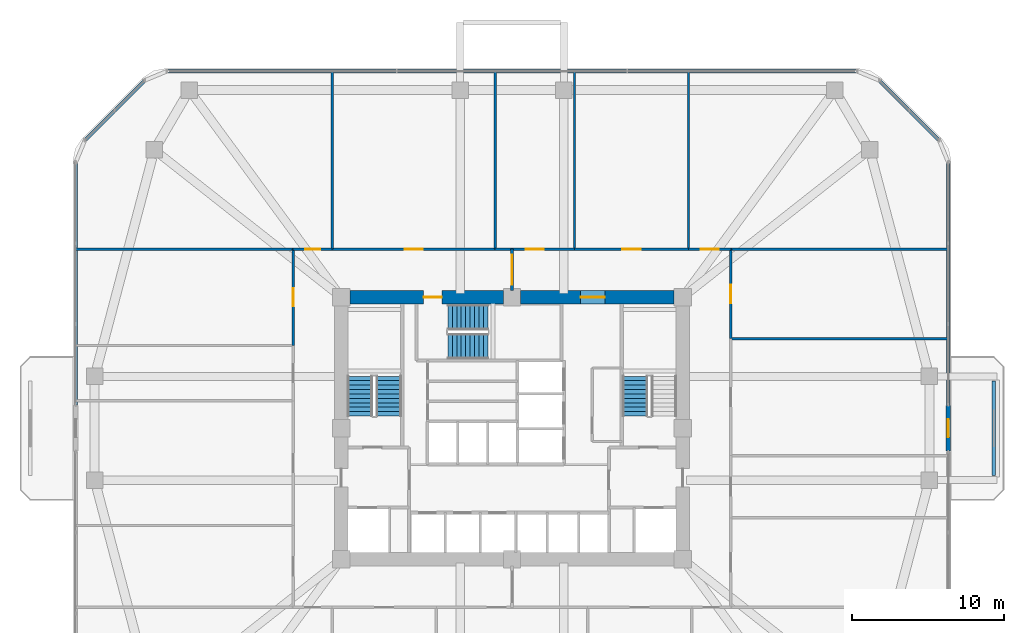
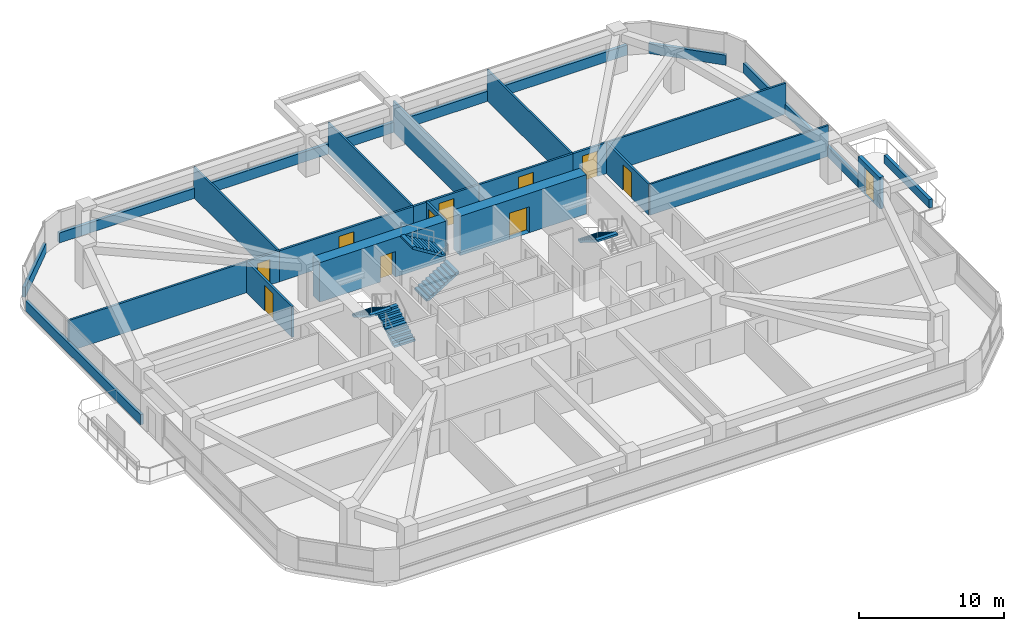
# One storey, part 12 of 15: 24 walls, 11 doors, 5 stair flights, 11 openings, 3 elements without a shape of their own.
"""IFC4 building model written with IfcOpenShell, lengths in metres."""

from ifc_helpers import new_model, si_unit, derived_unit, direction, frame, frame_2d, origin, place, context, subcontext, project, spatial, polyline, rectangle, outline, extrude, material, layer, layer_set, type_object, element, fill, aggregate, save


model = new_model("IFC4")

# Units and contexts
model_context = context("Model", 3, precision=1e-05, world=origin(), true_north=direction((0.0, 1.0)))
body_context = subcontext(model_context, "Body", "Model", "MODEL_VIEW")
ifc_project = project(units=[si_unit("LENGTHUNIT", "METRE"), si_unit("AREAUNIT", "SQUARE_METRE"), si_unit("VOLUMEUNIT", "CUBIC_METRE"), si_unit("PLANEANGLEUNIT", "RADIAN"), si_unit("MASSUNIT", "GRAM", prefix="KILO"), derived_unit("THERMALTRANSMITTANCEUNIT", [(si_unit("POWERUNIT", "WATT"), 1), (si_unit("LENGTHUNIT", "METRE"), -2), (si_unit("THERMODYNAMICTEMPERATUREUNIT", "KELVIN"), -1)])], contexts=[model_context])

# Site, building, storey
site_placement = place(None, origin())
site = spatial("IfcSite", under=ifc_project, at=site_placement, CompositionType="ELEMENT")
building_placement = place(site_placement, origin())
building = spatial("IfcBuilding", under=site, at=building_placement, Name="Koralith Skygarden Medical Center", CompositionType="ELEMENT")
storey_placement = place(building_placement, frame((0.0, 0.0, 41.93994140625)))
storey = spatial("IfcBuildingStorey", under=building, at=storey_placement, Name="L10", CompositionType="ELEMENT", Elevation=41.93994140625)

# Walls
ifc_material_1 = material(Name="Gypsum Board Partition")
ifc_layer_1 = layer(ifc_material_1, 0.14990234375)
ifc_layer_set_1 = layer_set([ifc_layer_1], Name="Gypsum Board Partition")
wall_type_1 = type_object("IfcWallType", Name="Clinical Acoustic Partition 150", PredefinedType="PARTITIONING", material=ifc_layer_set_1)
for number, where, z_axis, x_axis, name in (
    (1, (25.199951171875, 37.64990234375, 0.0), (0.0, 0.0, 1.0), (0.0, 1.0, 0.0), "L10 Clinical Acoustic Partition 150 W-PART-L10-N-01"),
    (2, (35.89697265625, 37.64990234375, 0.0), (0.0, 0.0, 1.0), (0.0, 1.0, 0.0), "L10 Clinical Acoustic Partition 150 W-PART-L10-N-02"),
    (3, (41.09912109375, 37.64990234375, 0.0), (0.0, 0.0, 1.0), (0.0, 1.0, 0.0), "L10 Clinical Acoustic Partition 150 W-PART-L10-N-03"),
    (4, (48.583984375, 37.64990234375, 0.0), (0.0, 0.0, 1.0), (0.0, 1.0, 0.0), "L10 Clinical Acoustic Partition 150 W-PART-L10-N-04"),
):
    element("IfcWall", number, at=place(storey_placement, frame(where, z_axis=z_axis, x_axis=x_axis)), inside=storey, type_object=wall_type_1, Name=name, PredefinedType="PARTITIONING", context=body_context, shape_type="SweptSolid", body=[
        extrude(rectangle(XDim=11.650146484375, YDim=0.14990234375, at=frame_2d((5.8251953125, 0.0))), origin(), (0.0, 0.0, 1.0), 2.610107421875),
    ])
wall_1_placement = place(storey_placement, frame((51.35009765625, 31.77490234375, 0.0), z_axis=(0.0, 0.0, 1.0), x_axis=(1.0, 0.0, 0.0)))
element("IfcWall", 5, at=wall_1_placement, inside=storey, type_object=wall_type_1, Name="L10 Clinical Acoustic Partition 150 W-PART-L10-E-03", PredefinedType="PARTITIONING", context=body_context, shape_type="SweptSolid", body=[
    extrude(rectangle(XDim=14.25, YDim=0.14990234375, at=frame_2d((7.125, 0.0))), origin(), (0.0, 0.0, 1.0), 2.610107421875),
])
ifc_layer_2 = layer(ifc_material_1, 0.1650390625)
ifc_layer_set_2 = layer_set([ifc_layer_2], Name="Gypsum Board Partition")
wall_type_2 = type_object("IfcWallType", Name="Clinical Corridor Partition 165", PredefinedType="PARTITIONING", material=ifc_layer_set_2)
for number, where, z_axis, x_axis, name in (
    (6, (8.39990234375, 37.64990234375, 0.0), (0.0, 0.0, 1.0), (1.0, 0.0, 0.0), "L10 Clinical Corridor Partition 165 W-WB-L10-NW"),
    (7, (51.35009765625, 37.64990234375, 0.0), (0.0, 0.0, 1.0), (1.0, 0.0, 0.0), "L10 Clinical Corridor Partition 165 W-WB-L10-NE"),
):
    element("IfcWall", number, at=place(storey_placement, frame(where, z_axis=z_axis, x_axis=x_axis)), inside=storey, type_object=wall_type_2, Name=name, PredefinedType="PARTITIONING", context=body_context, shape_type="SweptSolid", body=[
        extrude(rectangle(XDim=14.25, YDim=0.1650390625, at=frame_2d((7.125, 0.0))), origin(), (0.0, 0.0, 1.0), 2.610107421875),
    ])

# Wall, opening, door
wall_2_placement = place(storey_placement, frame((22.64990234375, 37.64990234375, 0.0), z_axis=(0.0, 0.0, 1.0), x_axis=(1.0, 0.0, 0.0)))
wall_2 = element("IfcWall", 8, at=wall_2_placement, inside=storey, type_object=wall_type_2, Name="L10 Clinical Corridor Partition 165 W-CORR-L10-N-01", PredefinedType="PARTITIONING", context=body_context, shape_type="SweptSolid", body=[
    extrude(rectangle(XDim=2.550048828125, YDim=0.1650390625, at=frame_2d((1.27490234375, 0.0))), origin(), (0.0, 0.0, 1.0), 2.610107421875),
])
opening_1_placement = place(wall_2_placement, frame((0.77490234375, 0.0, 0.0)))
opening_1 = element("IfcOpeningElement", 9, at=opening_1_placement, cuts=wall_2, Name="Opening D-SUP", PredefinedType="OPENING", context=body_context, shape_type="SweptSolid", body=[
    extrude(rectangle(XDim=1.0, YDim=2.14990234375, at=frame_2d((0.5, 1.074951171875))), frame((0.0, 0.092529296875, 0.0), z_axis=(0.0, -1.0, 0.0), x_axis=(1.0, 0.0, 0.0)), (0.0, 0.0, 1.0), 0.18505859375),
])
ifc_material_2 = material(Name="Aluminium 6063-T6", Category="aluminium")
door_type_1 = type_object("IfcDoorType", Name="Clinical Support Door D-SUP 1000", OperationType="NOTDEFINED", PredefinedType="DOOR", material=ifc_material_2)
door_1_placement = place(opening_1_placement, origin())
door_1 = element("IfcDoor", 10, at=door_1_placement, inside=storey, type_object=door_type_1, Name="L10 Family Waiting Sitting Lounge 01 Door", OperationType="SINGLE_SWING_RIGHT", OverallHeight=2.14990234375, OverallWidth=1.0, PredefinedType="DOOR", context=body_context, shape_type="SweptSolid", body=[
    extrude(rectangle(XDim=1.0, YDim=2.14990234375, at=frame_2d((0.5, 1.074951171875))), frame((0.0, 0.02490234375, 0.0), z_axis=(0.0, -1.0, 0.0), x_axis=(1.0, 0.0, 0.0)), (0.0, 0.0, 1.0), 0.050048828125),
])
fill(opening_1, door_1)

wall_3_placement = place(storey_placement, frame((25.199951171875, 37.64990234375, 0.0), z_axis=(0.0, 0.0, 1.0), x_axis=(1.0, 0.0, 0.0)))
wall_3 = element("IfcWall", 11, at=wall_3_placement, inside=storey, type_object=wall_type_2, Name="L10 Clinical Corridor Partition 165 W-CORR-L10-N-02", PredefinedType="PARTITIONING", context=body_context, shape_type="SweptSolid", body=[
    extrude(rectangle(XDim=10.697021484375, YDim=0.1650390625, at=frame_2d((5.3486328125, 0.0))), origin(), (0.0, 0.0, 1.0), 2.610107421875),
])
opening_2_placement = place(wall_3_placement, frame((4.748046875, 0.0, 0.0)))
opening_2 = element("IfcOpeningElement", 12, at=opening_2_placement, cuts=wall_3, Name="Opening D-CLN", PredefinedType="OPENING", context=body_context, shape_type="SweptSolid", body=[
    extrude(rectangle(XDim=1.199951171875, YDim=2.14990234375, at=frame_2d((0.60009765625, 1.074951171875))), frame((0.0, 0.092529296875, 0.0), z_axis=(0.0, -1.0, 0.0), x_axis=(1.0, 0.0, 0.0)), (0.0, 0.0, 1.0), 0.18505859375),
])
door_type_2 = type_object("IfcDoorType", Name="Clinical Corridor Door D-CLN 1200", OperationType="NOTDEFINED", PredefinedType="DOOR", material=ifc_material_2)
door_2_placement = place(opening_2_placement, origin())
door_2 = element("IfcDoor", 13, at=door_2_placement, inside=storey, type_object=door_type_2, Name="L10 Outpatient Triage Exam Room 02 Door", OperationType="SINGLE_SWING_LEFT", OverallHeight=2.14990234375, OverallWidth=1.199951171875, PredefinedType="DOOR", context=body_context, shape_type="SweptSolid", body=[
    extrude(rectangle(XDim=1.199951171875, YDim=2.14990234375, at=frame_2d((0.60009765625, 1.074951171875))), frame((0.0, 0.02490234375, 0.0), z_axis=(0.0, -1.0, 0.0), x_axis=(1.0, 0.0, 0.0)), (0.0, 0.0, 1.0), 0.050048828125),
])
fill(opening_2, door_2)

wall_4_placement = place(storey_placement, frame((35.89697265625, 37.64990234375, 0.0), z_axis=(0.0, 0.0, 1.0), x_axis=(1.0, 0.0, 0.0)))
wall_4 = element("IfcWall", 14, at=wall_4_placement, inside=storey, type_object=wall_type_2, Name="L10 Clinical Corridor Partition 165 W-CORR-L10-N-03", PredefinedType="PARTITIONING", context=body_context, shape_type="SweptSolid", body=[
    extrude(rectangle(XDim=5.2021484375, YDim=0.1650390625, at=frame_2d((2.60107421875, 0.0))), origin(), (0.0, 0.0, 1.0), 2.610107421875),
])
opening_3_placement = place(wall_4_placement, frame((2.0009765625, 0.0, 0.0)))
opening_3 = element("IfcOpeningElement", 15, at=opening_3_placement, cuts=wall_4, Name="Opening D-CLN", PredefinedType="OPENING", context=body_context, shape_type="SweptSolid", body=[
    extrude(rectangle(XDim=1.199951171875, YDim=2.14990234375, at=frame_2d((0.60009765625, 1.074951171875))), frame((0.0, 0.092529296875, 0.0), z_axis=(0.0, -1.0, 0.0), x_axis=(1.0, 0.0, 0.0)), (0.0, 0.0, 1.0), 0.18505859375),
])
door_3_placement = place(opening_3_placement, origin())
door_3 = element("IfcDoor", 16, at=door_3_placement, inside=storey, type_object=door_type_2, Name="L10 Clean Linen Supply Store 03 Door", OperationType="SINGLE_SWING_RIGHT", OverallHeight=2.14990234375, OverallWidth=1.199951171875, PredefinedType="DOOR", context=body_context, shape_type="SweptSolid", body=[
    extrude(rectangle(XDim=1.199951171875, YDim=2.14990234375, at=frame_2d((0.60009765625, 1.074951171875))), frame((0.0, 0.02490234375, 0.0), z_axis=(0.0, -1.0, 0.0), x_axis=(1.0, 0.0, 0.0)), (0.0, 0.0, 1.0), 0.050048828125),
])
fill(opening_3, door_3)

wall_5_placement = place(storey_placement, frame((41.09912109375, 37.64990234375, 0.0), z_axis=(0.0, 0.0, 1.0), x_axis=(1.0, 0.0, 0.0)))
wall_5 = element("IfcWall", 17, at=wall_5_placement, inside=storey, type_object=wall_type_2, Name="L10 Clinical Corridor Partition 165 W-CORR-L10-N-04", PredefinedType="PARTITIONING", context=body_context, shape_type="SweptSolid", body=[
    extrude(rectangle(XDim=7.48486328125, YDim=0.1650390625, at=frame_2d((3.742431640625, 0.0))), origin(), (0.0, 0.0, 1.0), 2.610107421875),
])
opening_4_placement = place(wall_5_placement, frame((3.14306640625, 0.0, 0.0)))
opening_4 = element("IfcOpeningElement", 18, at=opening_4_placement, cuts=wall_5, Name="Opening D-CLN", PredefinedType="OPENING", context=body_context, shape_type="SweptSolid", body=[
    extrude(rectangle(XDim=1.199951171875, YDim=2.14990234375, at=frame_2d((0.60009765625, 1.074951171875))), frame((0.0, 0.092529296875, 0.0), z_axis=(0.0, -1.0, 0.0), x_axis=(1.0, 0.0, 0.0)), (0.0, 0.0, 1.0), 0.18505859375),
])
door_4_placement = place(opening_4_placement, origin())
door_4 = element("IfcDoor", 19, at=door_4_placement, inside=storey, type_object=door_type_2, Name="L10 Clinical Consultation Office 04 Door", OperationType="SINGLE_SWING_LEFT", OverallHeight=2.14990234375, OverallWidth=1.199951171875, PredefinedType="DOOR", context=body_context, shape_type="SweptSolid", body=[
    extrude(rectangle(XDim=1.199951171875, YDim=2.14990234375, at=frame_2d((0.60009765625, 1.074951171875))), frame((0.0, 0.02490234375, 0.0), z_axis=(0.0, -1.0, 0.0), x_axis=(1.0, 0.0, 0.0)), (0.0, 0.0, 1.0), 0.050048828125),
])
fill(opening_4, door_4)

wall_6_placement = place(storey_placement, frame((48.583984375, 37.64990234375, 0.0), z_axis=(0.0, 0.0, 1.0), x_axis=(1.0, 0.0, 0.0)))
wall_6 = element("IfcWall", 20, at=wall_6_placement, inside=storey, type_object=wall_type_2, Name="L10 Clinical Corridor Partition 165 W-CORR-L10-N-05", PredefinedType="PARTITIONING", context=body_context, shape_type="SweptSolid", body=[
    extrude(rectangle(XDim=2.76611328125, YDim=0.1650390625, at=frame_2d((1.383056640625, 0.0))), origin(), (0.0, 0.0, 1.0), 2.610107421875),
])
opening_5_placement = place(wall_6_placement, frame((0.782958984375, 0.0, 0.0)))
opening_5 = element("IfcOpeningElement", 21, at=opening_5_placement, cuts=wall_6, Name="Opening D-CLN", PredefinedType="OPENING", context=body_context, shape_type="SweptSolid", body=[
    extrude(rectangle(XDim=1.199951171875, YDim=2.14990234375, at=frame_2d((0.60009765625, 1.074951171875))), frame((0.0, 0.092529296875, 0.0), z_axis=(0.0, -1.0, 0.0), x_axis=(1.0, 0.0, 0.0)), (0.0, 0.0, 1.0), 0.18505859375),
])
door_5_placement = place(opening_5_placement, origin())
door_5 = element("IfcDoor", 22, at=door_5_placement, inside=storey, type_object=door_type_2, Name="L10 Family Waiting Sitting Lounge 05 Door", OperationType="SINGLE_SWING_RIGHT", OverallHeight=2.14990234375, OverallWidth=1.199951171875, PredefinedType="DOOR", context=body_context, shape_type="SweptSolid", body=[
    extrude(rectangle(XDim=1.199951171875, YDim=2.14990234375, at=frame_2d((0.60009765625, 1.074951171875))), frame((0.0, 0.02490234375, 0.0), z_axis=(0.0, -1.0, 0.0), x_axis=(1.0, 0.0, 0.0)), (0.0, 0.0, 1.0), 0.050048828125),
])
fill(opening_5, door_5)

wall_7_placement = place(storey_placement, frame((22.64990234375, 31.3330078125, 0.0), z_axis=(0.0, 0.0, 1.0), x_axis=(0.0, 1.0, 0.0)))
wall_7 = element("IfcWall", 23, at=wall_7_placement, inside=storey, type_object=wall_type_2, Name="L10 Clinical Corridor Partition 165 W-CORR-L10-W-04", PredefinedType="PARTITIONING", context=body_context, shape_type="SweptSolid", body=[
    extrude(rectangle(XDim=6.31689453125, YDim=0.1650390625, at=frame_2d((3.158447265625, 0.0))), origin(), (0.0, 0.0, 1.0), 2.610107421875),
])
opening_6_placement = place(wall_7_placement, frame((2.55810546875, 0.0, 0.0)))
opening_6 = element("IfcOpeningElement", 24, at=opening_6_placement, cuts=wall_7, Name="Opening D-CLN", PredefinedType="OPENING", context=body_context, shape_type="SweptSolid", body=[
    extrude(rectangle(XDim=1.199951171875, YDim=2.14990234375, at=frame_2d((0.60009765625, 1.074951171875))), frame((0.0, 0.092529296875, 0.0), z_axis=(0.0, -1.0, 0.0), x_axis=(1.0, 0.0, 0.0)), (0.0, 0.0, 1.0), 0.18505859375),
])
door_6_placement = place(opening_6_placement, frame((1.199951171875, 0.0, 0.0), z_axis=(0.0, 0.0, 1.0), x_axis=(-1.0, 0.0, 0.0)))
door_6 = element("IfcDoor", 25, at=door_6_placement, inside=storey, type_object=door_type_2, Name="L10 Family Waiting Sitting Lounge 14 Door", OperationType="SINGLE_SWING_LEFT", OverallHeight=2.14990234375, OverallWidth=1.199951171875, PredefinedType="DOOR", context=body_context, shape_type="SweptSolid", body=[
    extrude(rectangle(XDim=1.199951171875, YDim=2.14990234375, at=frame_2d((0.60009765625, 1.074951171875))), frame((0.0, 0.02490234375, 0.0), z_axis=(0.0, -1.0, 0.0), x_axis=(1.0, 0.0, 0.0)), (0.0, 0.0, 1.0), 0.050048828125),
])
fill(opening_6, door_6)

wall_8_placement = place(storey_placement, frame((51.35009765625, 31.77490234375, 0.0), z_axis=(0.0, 0.0, 1.0), x_axis=(0.0, 1.0, 0.0)))
wall_8 = element("IfcWall", 26, at=wall_8_placement, inside=storey, type_object=wall_type_2, Name="L10 Clinical Corridor Partition 165 W-CORR-L10-E-04", PredefinedType="PARTITIONING", context=body_context, shape_type="SweptSolid", body=[
    extrude(rectangle(XDim=5.875, YDim=0.1650390625, at=frame_2d((2.9375, 0.0))), origin(), (0.0, 0.0, 1.0), 2.610107421875),
])
opening_7_placement = place(wall_8_placement, frame((2.3369140625, 0.0, 0.0)))
opening_7 = element("IfcOpeningElement", 27, at=opening_7_placement, cuts=wall_8, Name="Opening D-CLN", PredefinedType="OPENING", context=body_context, shape_type="SweptSolid", body=[
    extrude(rectangle(XDim=1.199951171875, YDim=2.14990234375, at=frame_2d((0.60009765625, 1.074951171875))), frame((0.0, 0.092529296875, 0.0), z_axis=(0.0, -1.0, 0.0), x_axis=(1.0, 0.0, 0.0)), (0.0, 0.0, 1.0), 0.18505859375),
])
door_7_placement = place(opening_7_placement, origin())
door_7 = element("IfcDoor", 28, at=door_7_placement, inside=storey, type_object=door_type_2, Name="L10 Clinical Consultation Office 18 Door", OperationType="SINGLE_SWING_LEFT", OverallHeight=2.14990234375, OverallWidth=1.199951171875, PredefinedType="DOOR", context=body_context, shape_type="SweptSolid", body=[
    extrude(rectangle(XDim=1.199951171875, YDim=2.14990234375, at=frame_2d((0.60009765625, 1.074951171875))), frame((0.0, 0.02490234375, 0.0), z_axis=(0.0, -1.0, 0.0), x_axis=(1.0, 0.0, 0.0)), (0.0, 0.0, 1.0), 0.050048828125),
])
fill(opening_7, door_7)

ifc_layer_3 = layer(ifc_material_1, 0.179931640625)
ifc_layer_set_3 = layer_set([ifc_layer_3], Name="Gypsum Board Partition")
wall_type_3 = type_object("IfcWallType", Name="Group I-2 Smoke Barrier Wall 180", PredefinedType="PARTITIONING", material=ifc_layer_set_3)
wall_9_placement = place(storey_placement, frame((37.0, 34.949951171875, 0.0), z_axis=(0.0, 0.0, 1.0), x_axis=(0.0, 1.0, 0.0)))
wall_9 = element("IfcWall", 29, at=wall_9_placement, inside=storey, type_object=wall_type_3, Name="L10 Group I-2 Smoke Barrier Wall 180 W-SMK-L10-N", PredefinedType="PARTITIONING", context=body_context, shape_type="SweptSolid", body=[
    extrude(rectangle(XDim=2.699951171875, YDim=0.179931640625, at=frame_2d((1.35009765625, 0.0))), origin(), (0.0, 0.0, 1.0), 2.610107421875),
])
opening_8_placement = place(wall_9_placement, frame((0.35009765625, 0.0, 0.0)))
opening_8 = element("IfcOpeningElement", 30, at=opening_8_placement, cuts=wall_9, Name="Opening D-SMK", PredefinedType="OPENING", context=body_context, shape_type="SweptSolid", body=[
    extrude(rectangle(XDim=2.0, YDim=2.199951171875, at=frame_2d((1.0, 1.10009765625))), frame((0.0, 0.099853515625, 0.0), z_axis=(0.0, -1.0, 0.0), x_axis=(1.0, 0.0, 0.0)), (0.0, 0.0, 1.0), 0.199951171875),
])
ifc_material_3 = material(Name="Steel ASTM A500 Grade C", Category="steel")
door_type_3 = type_object("IfcDoorType", Name="Cross-Corridor Double Smoke Door FD60S 2000", OperationType="NOTDEFINED", PredefinedType="DOOR", material=ifc_material_3)
door_8_placement = place(opening_8_placement, origin())
door_8 = element("IfcDoor", 31, at=door_8_placement, inside=storey, type_object=door_type_3, Name="L10 N Smoke Compartment Cross-Corridor Door", OperationType="DOUBLE_DOOR_SINGLE_SWING", OverallHeight=2.199951171875, OverallWidth=2.0, PredefinedType="DOOR", context=body_context, shape_type="SweptSolid", body=[
    extrude(rectangle(XDim=2.0, YDim=2.199951171875, at=frame_2d((1.0, 1.10009765625))), frame((0.0, 0.02490234375, 0.0), z_axis=(0.0, -1.0, 0.0), x_axis=(1.0, 0.0, 0.0)), (0.0, 0.0, 1.0), 0.050048828125),
])
fill(opening_8, door_8)

# Walls
ifc_material_4 = material(Name="Warm Oolitic Limestone Cladding", Category="masonry")
ifc_layer_4 = layer(ifc_material_4, 0.239990234375)
ifc_layer_set_4 = layer_set([ifc_layer_4], Name="Warm Oolitic Limestone Cladding")
wall_type_4 = type_object("IfcWallType", Name="Limestone Spandrel Sill Backup Wall 240", PredefinedType="SOLIDWALL", material=ifc_layer_set_4)
wall_10_placement = place(storey_placement, frame((65.6201171875, 27.43994140625, 0.0), z_axis=(0.0, 0.0, 1.0), x_axis=(0.0, 1.0, 0.0)))
element("IfcWall", 32, at=wall_10_placement, inside=storey, type_object=wall_type_4, Name="L10 Sill Spandrel E-R", PredefinedType="SOLIDWALL", context=body_context, shape_type="SweptSolid", body=[
    extrude(rectangle(XDim=15.905029296875, YDim=0.239990234375, at=frame_2d((7.95263671875, 0.0))), origin(), (0.0, 0.0, 1.0), 0.85009765625),
])
wall_11_placement = place(storey_placement, frame((65.01904296875, 44.7958984375, 0.0), z_axis=(0.0, 0.0, 1.0), x_axis=(-0.707106781187, 0.707106781187, 0.0)))
element("IfcWall", 33, at=wall_11_placement, inside=storey, type_object=wall_type_4, Name="L10 Sill Spandrel NE", PredefinedType="SOLIDWALL", context=body_context, shape_type="SweptSolid", body=[
    extrude(rectangle(XDim=5.548095703125, YDim=0.239990234375, at=frame_2d((2.77392578125, 0.0))), origin(), (0.0, 0.0, 1.0), 0.85009765625),
])
wall_12_placement = place(storey_placement, frame((59.64501953125, 49.320068359375, 0.0), z_axis=(0.0, 0.0, 1.0), x_axis=(-1.0, 0.0, 0.0)))
element("IfcWall", 34, at=wall_12_placement, inside=storey, type_object=wall_type_4, Name="L10 Sill Spandrel N", PredefinedType="SOLIDWALL", context=body_context, shape_type="SweptSolid", body=[
    extrude(rectangle(XDim=45.2900390625, YDim=0.239990234375, at=frame_2d((22.64501953125, 0.0))), origin(), (0.0, 0.0, 1.0), 0.85009765625),
])
wall_13_placement = place(storey_placement, frame((12.904052734375, 48.718994140625, 0.0), z_axis=(0.0, 0.0, 1.0), x_axis=(-0.707106781187, -0.707106781187, 0.0)))
element("IfcWall", 35, at=wall_13_placement, inside=storey, type_object=wall_type_4, Name="L10 Sill Spandrel NW", PredefinedType="SOLIDWALL", context=body_context, shape_type="SweptSolid", body=[
    extrude(rectangle(XDim=5.548095703125, YDim=0.239990234375, at=frame_2d((2.77392578125, 0.0))), origin(), (0.0, 0.0, 1.0), 0.85009765625),
])
wall_14_placement = place(storey_placement, frame((8.3798828125, 43.344970703125, 0.0), z_axis=(0.0, 0.0, 1.0), x_axis=(0.0, -1.0, 0.0)))
element("IfcWall", 36, at=wall_14_placement, inside=storey, type_object=wall_type_4, Name="L10 Sill Spandrel W-L", PredefinedType="SOLIDWALL", context=body_context, shape_type="SweptSolid", body=[
    extrude(rectangle(XDim=15.905029296875, YDim=0.239990234375, at=frame_2d((7.95263671875, 0.0))), origin(), (0.0, 0.0, 1.0), 0.85009765625),
])

# Wall, opening, door
ifc_material_5 = material(Name="Concrete C70/85", Category="concrete")
ifc_layer_5 = layer(ifc_material_5, 0.89990234375)
ifc_layer_set_5 = layer_set([ifc_layer_5], Name="Concrete C70/85")
wall_type_5 = type_object("IfcWallType", Name="Lower Core Shear Wall 900", PredefinedType="SHEAR", material=ifc_layer_set_5)
wall_15_placement = place(storey_placement, frame((47.635009765625, 34.5, 0.0), z_axis=(0.0, 0.0, 1.0), x_axis=(-1.0, 0.0, 0.0)))
wall_15 = element("IfcWall", 37, at=wall_15_placement, inside=storey, type_object=wall_type_5, Name="L10 Core Shear Wall Segment 5", PredefinedType="SHEAR", context=body_context, shape_type="SweptSolid", body=[
    extrude(rectangle(XDim=10.070068359375, YDim=0.89990234375, at=frame_2d((5.03515625, 0.0))), origin(), (0.0, 0.0, 1.0), 3.320068359375),
])
opening_9_placement = place(wall_15_placement, frame((4.534912109375, 0.0, 0.0)))
opening_9 = element("IfcOpeningElement", 38, at=opening_9_placement, cuts=wall_15, Name="Opening D-DBL", PredefinedType="OPENING", context=body_context, shape_type="SweptSolid", body=[
    extrude(rectangle(XDim=1.60009765625, YDim=2.199951171875, at=frame_2d((0.800048828125, 1.10009765625))), frame((0.0, 0.4599609375, 0.0), z_axis=(0.0, -1.0, 0.0), x_axis=(1.0, 0.0, 0.0)), (0.0, 0.0, 1.0), 0.919921875),
])
door_type_4 = type_object("IfcDoorType", Name="Double Clinical Suite Door D-DBL 1600", OperationType="NOTDEFINED", PredefinedType="DOOR", material=ifc_material_2)
door_9_placement = place(opening_9_placement, frame((1.60009765625, 0.0, 0.0), z_axis=(0.0, 0.0, 1.0), x_axis=(-1.0, 0.0, 0.0)))
door_9 = element("IfcDoor", 39, at=door_9_placement, inside=storey, type_object=door_type_4, Name="L10 North-East Corridor to Elevator Lobby Door", OperationType="DOUBLE_DOOR_SINGLE_SWING", OverallHeight=2.199951171875, OverallWidth=1.60009765625, PredefinedType="DOOR", context=body_context, shape_type="SweptSolid", body=[
    extrude(rectangle(XDim=1.60009765625, YDim=2.199951171875, at=frame_2d((0.800048828125, 1.10009765625))), frame((0.0, 0.02490234375, 0.0), z_axis=(0.0, -1.0, 0.0), x_axis=(1.0, 0.0, 0.0)), (0.0, 0.0, 1.0), 0.050048828125),
])
fill(opening_9, door_9)

wall_16_placement = place(storey_placement, frame((36.43505859375, 34.5, 0.0), z_axis=(0.0, 0.0, 1.0), x_axis=(-1.0, 0.0, 0.0)))
wall_16 = element("IfcWall", 40, at=wall_16_placement, inside=storey, type_object=wall_type_5, Name="L10 Core Shear Wall Segment 6", PredefinedType="SHEAR", context=body_context, shape_type="SweptSolid", body=[
    extrude(rectangle(XDim=10.070068359375, YDim=0.89990234375, at=frame_2d((5.03515625, 0.0))), origin(), (0.0, 0.0, 1.0), 3.320068359375),
])
opening_10_placement = place(wall_16_placement, frame((4.034912109375, 0.0, 0.0)))
opening_10 = element("IfcOpeningElement", 41, at=opening_10_placement, cuts=wall_16, Name="Opening D-ST60", PredefinedType="OPENING", context=body_context, shape_type="SweptSolid", body=[
    extrude(rectangle(XDim=1.199951171875, YDim=2.14990234375, at=frame_2d((0.60009765625, 1.074951171875))), frame((0.0, 0.4599609375, 0.0), z_axis=(0.0, -1.0, 0.0), x_axis=(1.0, 0.0, 0.0)), (0.0, 0.0, 1.0), 0.919921875),
])
door_type_5 = type_object("IfcDoorType", Name="Smokeproof Stair Fire Door FD60S 1200", OperationType="NOTDEFINED", PredefinedType="DOOR", material=ifc_material_3)
door_10_placement = place(opening_10_placement, frame((1.199951171875, 0.0, 0.0), z_axis=(0.0, 0.0, 1.0), x_axis=(-1.0, 0.0, 0.0)))
door_10 = element("IfcDoor", 42, at=door_10_placement, inside=storey, type_object=door_type_5, Name="L10 Exit Stair ST3 Fire Door", OperationType="SINGLE_SWING_LEFT", OverallHeight=2.14990234375, OverallWidth=1.199951171875, PredefinedType="DOOR", context=body_context, shape_type="SweptSolid", body=[
    extrude(rectangle(XDim=1.199951171875, YDim=2.14990234375, at=frame_2d((0.60009765625, 1.074951171875))), frame((0.0, 0.02490234375, 0.0), z_axis=(0.0, -1.0, 0.0), x_axis=(1.0, 0.0, 0.0)), (0.0, 0.0, 1.0), 0.050048828125),
])
fill(opening_10, door_10)

ifc_layer_6 = layer(ifc_material_4, 0.300048828125)
ifc_layer_set_6 = layer_set([ifc_layer_6], Name="Warm Oolitic Limestone Cladding")
wall_type_6 = type_object("IfcWallType", Name="Oolitic Limestone Insulated Facade Wall 300", PredefinedType="SOLIDWALL", material=ifc_layer_set_6)
wall_17_placement = place(storey_placement, frame((65.6201171875, 24.39990234375, 0.0), z_axis=(0.0, 0.0, 1.0), x_axis=(0.0, 1.0, 0.0)))
wall_17 = element("IfcWall", 43, at=wall_17_placement, inside=storey, type_object=wall_type_6, Name="L10 Terrace Portal Wall E", PredefinedType="SOLIDWALL", context=body_context, shape_type="SweptSolid", body=[
    extrude(rectangle(XDim=3.0, YDim=0.300048828125, at=frame_2d((1.5, 0.0))), origin(), (0.0, 0.0, 1.0), 2.650146484375),
])
opening_11_placement = place(wall_17_placement, frame((0.89990234375, 0.0, 0.0)))
opening_11 = element("IfcOpeningElement", 44, at=opening_11_placement, cuts=wall_17, Name="Opening D-BAL", PredefinedType="OPENING", context=body_context, shape_type="SweptSolid", body=[
    extrude(rectangle(XDim=1.199951171875, YDim=2.199951171875, at=frame_2d((0.60009765625, 1.10009765625))), frame((0.0, 0.159912109375, 0.0), z_axis=(0.0, -1.0, 0.0), x_axis=(1.0, 0.0, 0.0)), (0.0, 0.0, 1.0), 0.320068359375),
])
door_type_6 = type_object("IfcDoorType", Name="Planted Balcony Glazed Terrace Door D-BAL 1200", OperationType="NOTDEFINED", PredefinedType="DOOR", material=ifc_material_2)
door_11_placement = place(opening_11_placement, origin())
door_11 = element("IfcDoor", 45, at=door_11_placement, inside=storey, type_object=door_type_6, Name="L10 E Outdoor Terrace Access Door", OperationType="SINGLE_SWING_LEFT", OverallHeight=2.199951171875, OverallWidth=1.199951171875, PredefinedType="DOOR", context=body_context, shape_type="SweptSolid", body=[
    extrude(rectangle(XDim=1.199951171875, YDim=2.199951171875, at=frame_2d((0.60009765625, 1.10009765625))), frame((0.0, 0.02490234375, 0.0), z_axis=(0.0, -1.0, 0.0), x_axis=(1.0, 0.0, 0.0)), (0.0, 0.0, 1.0), 0.050048828125),
])
fill(opening_11, door_11)

# Wall
ifc_material_6 = material(Name="Precast concrete C40/50", Category="concrete")
ifc_layer_7 = layer(ifc_material_6, 0.25)
ifc_layer_set_7 = layer_set([ifc_layer_7], Name="Precast concrete C40/50")
wall_type_7 = type_object("IfcWallType", Name="Structural Concrete Balcony Planter Kerb 250", PredefinedType="PARAPET", material=ifc_layer_set_7)
wall_18_placement = place(storey_placement, frame((68.60009765625, 22.800048828125, 0.0), z_axis=(0.0, 0.0, 1.0), x_axis=(0.0, 1.0, 0.0)))
element("IfcWall", 46, at=wall_18_placement, inside=storey, type_object=wall_type_7, Name="L10 E Structural Tree PLANTER Box", PredefinedType="PARAPET", context=body_context, shape_type="SweptSolid", body=[
    extrude(rectangle(XDim=6.199951171875, YDim=0.25, at=frame_2d((3.10009765625, 0.0))), origin(), (0.0, 0.0, 1.0), 0.719970703125),
])

# Stair, stair flights
ifc_material_7 = material(Name="Concrete C45/55", Category="concrete")
stair_type = type_object("IfcStairType", Name="Core Exit Dogleg Concrete Stair", PredefinedType="HALF_TURN_STAIR", material=ifc_material_7)
stair_1_placement = place(storey_placement, origin())
stair_1 = element("IfcStair", 47, at=stair_1_placement, inside=storey, type_object=stair_type, Name="L10 Smokeproof Exit Stair ST1", PredefinedType="HALF_TURN_STAIR")
stair_flight_type = type_object("IfcStairFlightType", Name="Core Exit Concrete Stair Flight 1650", PredefinedType="STRAIGHT", material=ifc_material_7)
stair_flight_1_placement = place(storey_placement, frame((28.925048828125, 26.699951171875, 0.0), z_axis=(0.0, 0.0, 1.0), x_axis=(0.0, 1.0, 0.0)))
stair_flight_1 = element("IfcStairFlight", 48, at=stair_flight_1_placement, type_object=stair_flight_type, Name="ST1 flight 1", NumberOfRisers=10, NumberOfTreads=9, PredefinedType="STRAIGHT", RiserHeight=0.18, TreadLength=0.29, context=body_context, shape_type="SweptSolid", body=[
    extrude(outline(polyline([(0.0, 0.0), (0.0, 0.179931640625), (0.2900390625, 0.179931640625), (0.2900390625, 0.360107421875), (0.580078125, 0.360107421875), (0.580078125, 0.5400390625), (0.8701171875, 0.5400390625), (0.8701171875, 0.719970703125), (1.159912109375, 0.719970703125), (1.159912109375, 0.89990234375), (1.449951171875, 0.89990234375), (1.449951171875, 1.080078125), (1.739990234375, 1.080078125), (1.739990234375, 1.260009765625), (2.030029296875, 1.260009765625), (2.030029296875, 1.43994140625), (2.320068359375, 1.43994140625), (2.320068359375, 1.6201171875), (2.610107421875, 1.6201171875), (2.610107421875, 1.800048828125), (2.610107421875, 1.443603515625), (0.2841796875, 0.0), (0.0, 0.0)])), frame((0.0, 0.824951171875, 0.0), z_axis=(0.0, -1.0, 0.0), x_axis=(1.0, 0.0, 0.0)), (0.0, 0.0, 1.0), 1.64990234375),
])
stair_flight_2_placement = place(storey_placement, frame((27.02490234375, 29.31005859375, 1.800048828125), z_axis=(0.0, 0.0, 1.0), x_axis=(0.0, -1.0, 0.0)))
stair_flight_2 = element("IfcStairFlight", 49, at=stair_flight_2_placement, type_object=stair_flight_type, Name="ST1 flight 2", NumberOfRisers=10, NumberOfTreads=9, PredefinedType="STRAIGHT", RiserHeight=0.18, TreadLength=0.29, context=body_context, shape_type="SweptSolid", body=[
    extrude(outline(polyline([(0.0, 0.0), (0.0, 0.179931640625), (0.2900390625, 0.179931640625), (0.2900390625, 0.360107421875), (0.580078125, 0.360107421875), (0.580078125, 0.5400390625), (0.8701171875, 0.5400390625), (0.8701171875, 0.719970703125), (1.159912109375, 0.719970703125), (1.159912109375, 0.89990234375), (1.449951171875, 0.89990234375), (1.449951171875, 1.080078125), (1.739990234375, 1.080078125), (1.739990234375, 1.260009765625), (2.030029296875, 1.260009765625), (2.030029296875, 1.43994140625), (2.320068359375, 1.43994140625), (2.320068359375, 1.6201171875), (2.610107421875, 1.6201171875), (2.610107421875, 1.800048828125), (2.610107421875, 1.443603515625), (0.2841796875, 0.0), (0.0, 0.0)])), frame((0.0, 0.824951171875, 0.0), z_axis=(0.0, -1.0, 0.0), x_axis=(1.0, 0.0, 0.0)), (0.0, 0.0, 1.0), 1.64990234375),
])
aggregate(stair_1, [stair_flight_1, stair_flight_2])

# Stair, stair flight
stair_2_placement = place(storey_placement, origin())
stair_2 = element("IfcStair", 50, at=stair_2_placement, inside=storey, type_object=stair_type, Name="L10 Smokeproof Exit Stair ST2", PredefinedType="HALF_TURN_STAIR")
stair_flight_3_placement = place(storey_placement, frame((45.074951171875, 29.31005859375, 1.800048828125), z_axis=(0.0, 0.0, 1.0), x_axis=(0.0, -1.0, 0.0)))
stair_flight_3 = element("IfcStairFlight", 51, at=stair_flight_3_placement, type_object=stair_flight_type, Name="ST2 flight 2", NumberOfRisers=10, NumberOfTreads=9, PredefinedType="STRAIGHT", RiserHeight=0.18, TreadLength=0.29, context=body_context, shape_type="SweptSolid", body=[
    extrude(outline(polyline([(0.0, 0.0), (0.0, 0.179931640625), (0.2900390625, 0.179931640625), (0.2900390625, 0.360107421875), (0.580078125, 0.360107421875), (0.580078125, 0.5400390625), (0.8701171875, 0.5400390625), (0.8701171875, 0.719970703125), (1.159912109375, 0.719970703125), (1.159912109375, 0.89990234375), (1.449951171875, 0.89990234375), (1.449951171875, 1.080078125), (1.739990234375, 1.080078125), (1.739990234375, 1.260009765625), (2.030029296875, 1.260009765625), (2.030029296875, 1.43994140625), (2.320068359375, 1.43994140625), (2.320068359375, 1.6201171875), (2.610107421875, 1.6201171875), (2.610107421875, 1.800048828125), (2.610107421875, 1.443603515625), (0.2841796875, 0.0), (0.0, 0.0)])), frame((0.0, 0.824951171875, 0.0), z_axis=(0.0, -1.0, 0.0), x_axis=(1.0, 0.0, 0.0)), (0.0, 0.0, 1.0), 1.64990234375),
])
aggregate(stair_2, [stair_flight_3])

# Stair, stair flights
stair_3_placement = place(storey_placement, origin())
stair_3 = element("IfcStair", 52, at=stair_3_placement, inside=storey, type_object=stair_type, Name="L10 Smokeproof Exit Stair ST3", PredefinedType="HALF_TURN_STAIR")
stair_flight_4_placement = place(storey_placement, frame((32.800048828125, 31.27490234375, 0.0), z_axis=(0.0, 0.0, 1.0), x_axis=(1.0, 0.0, 0.0)))
stair_flight_4 = element("IfcStairFlight", 53, at=stair_flight_4_placement, type_object=stair_flight_type, Name="ST3 flight 1", NumberOfRisers=10, NumberOfTreads=9, PredefinedType="STRAIGHT", RiserHeight=0.18, TreadLength=0.29, context=body_context, shape_type="SweptSolid", body=[
    extrude(outline(polyline([(0.0, 0.0), (0.0, 0.179931640625), (0.2900390625, 0.179931640625), (0.2900390625, 0.360107421875), (0.580078125, 0.360107421875), (0.580078125, 0.5400390625), (0.8701171875, 0.5400390625), (0.8701171875, 0.719970703125), (1.159912109375, 0.719970703125), (1.159912109375, 0.89990234375), (1.449951171875, 0.89990234375), (1.449951171875, 1.080078125), (1.739990234375, 1.080078125), (1.739990234375, 1.260009765625), (2.030029296875, 1.260009765625), (2.030029296875, 1.43994140625), (2.320068359375, 1.43994140625), (2.320068359375, 1.6201171875), (2.610107421875, 1.6201171875), (2.610107421875, 1.800048828125), (2.610107421875, 1.443603515625), (0.2841796875, 0.0), (0.0, 0.0)])), frame((0.0, 0.824951171875, 0.0), z_axis=(0.0, -1.0, 0.0), x_axis=(1.0, 0.0, 0.0)), (0.0, 0.0, 1.0), 1.64990234375),
])
stair_flight_5_placement = place(storey_placement, frame((35.409912109375, 33.175048828125, 1.800048828125), z_axis=(0.0, 0.0, 1.0), x_axis=(-1.0, 0.0, 0.0)))
stair_flight_5 = element("IfcStairFlight", 54, at=stair_flight_5_placement, type_object=stair_flight_type, Name="ST3 flight 2", NumberOfRisers=10, NumberOfTreads=9, PredefinedType="STRAIGHT", RiserHeight=0.18, TreadLength=0.29, context=body_context, shape_type="SweptSolid", body=[
    extrude(outline(polyline([(0.0, 0.0), (0.0, 0.179931640625), (0.2900390625, 0.179931640625), (0.2900390625, 0.360107421875), (0.580078125, 0.360107421875), (0.580078125, 0.5400390625), (0.8701171875, 0.5400390625), (0.8701171875, 0.719970703125), (1.159912109375, 0.719970703125), (1.159912109375, 0.89990234375), (1.449951171875, 0.89990234375), (1.449951171875, 1.080078125), (1.739990234375, 1.080078125), (1.739990234375, 1.260009765625), (2.030029296875, 1.260009765625), (2.030029296875, 1.43994140625), (2.320068359375, 1.43994140625), (2.320068359375, 1.6201171875), (2.610107421875, 1.6201171875), (2.610107421875, 1.800048828125), (2.610107421875, 1.443603515625), (0.2841796875, 0.0), (0.0, 0.0)])), frame((0.0, 0.824951171875, 0.0), z_axis=(0.0, -1.0, 0.0), x_axis=(1.0, 0.0, 0.0)), (0.0, 0.0, 1.0), 1.64990234375),
])
aggregate(stair_3, [stair_flight_4, stair_flight_5])

save(model, "model.ifc")
